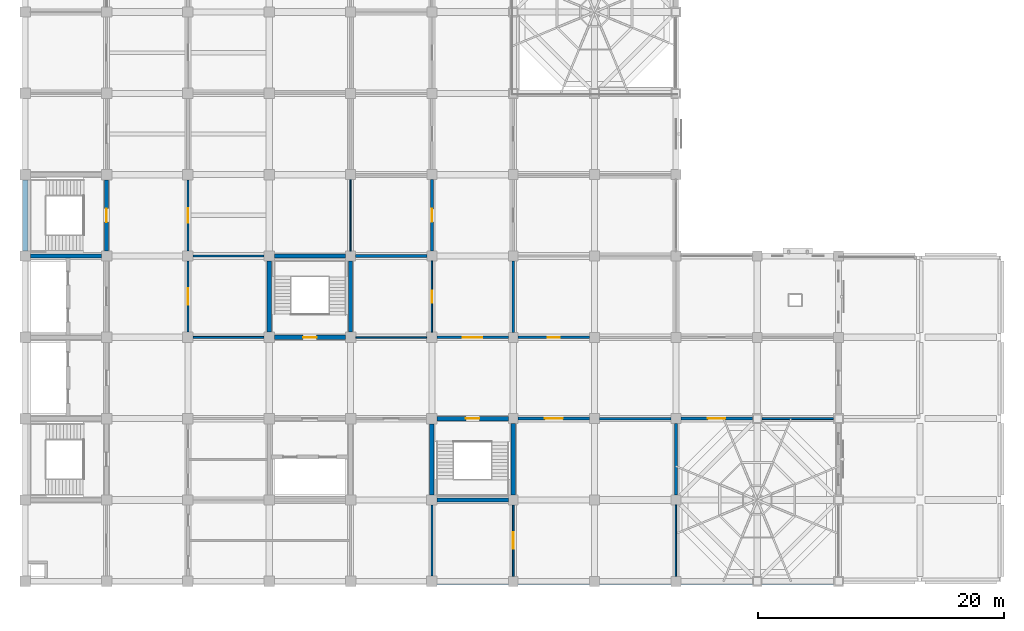
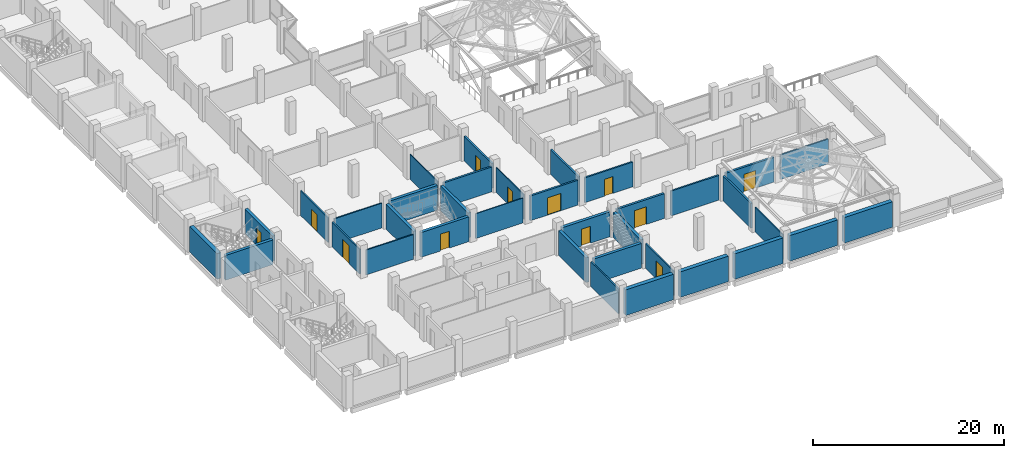
# One storey, part 15 of 25: 36 walls, 12 doors, 12 openings.
"""IFC4 building model written with IfcOpenShell, lengths in metres."""

from ifc_helpers import new_model, si_unit, direction, frame, frame_2d, origin, place, context, subcontext, project, spatial, rectangle, extrude, material, layer, layer_set, type_object, element, fill, save


model = new_model("IFC4")

# Units and contexts
model_context = context("Model", 3, precision=1e-05, world=origin(), true_north=direction((0.0, 1.0)))
body_context = subcontext(model_context, "Body", "Model", "MODEL_VIEW")
ifc_project = project(units=[si_unit("LENGTHUNIT", "METRE"), si_unit("AREAUNIT", "SQUARE_METRE"), si_unit("VOLUMEUNIT", "CUBIC_METRE"), si_unit("PLANEANGLEUNIT", "RADIAN"), si_unit("MASSUNIT", "GRAM", prefix="KILO")], contexts=[model_context])

# Site, building, storey
site_placement = place(None, origin())
site = spatial("IfcSite", under=ifc_project, at=site_placement, CompositionType="ELEMENT")
building_placement = place(site_placement, origin())
building = spatial("IfcBuilding", under=site, at=building_placement, Name="Rusizi Kubbe Research Institute", CompositionType="ELEMENT")
storey_placement = place(building_placement, frame((0.0, 0.0, 14.39990234375)))
storey = spatial("IfcBuildingStorey", under=building, at=storey_placement, Name="L03", CompositionType="ELEMENT", Elevation=14.39990234375)

# Wall
ifc_material_1 = material(Name="Concrete C45/55", Category="concrete")
ifc_layer_1 = layer(ifc_material_1, 0.35009765625)
ifc_layer_set_1 = layer_set([ifc_layer_1], Name="Concrete C45/55")
wall_type_1 = type_object("IfcWallType", Name="CRW-01", PredefinedType="SHEAR", material=ifc_layer_set_1)
wall_1_placement = place(storey_placement, frame((0.425048828125, 26.39990234375, 0.0), z_axis=(0.0, 0.0, 1.0), x_axis=(1.0, 0.0, 0.0)))
element("IfcWall", 1, at=wall_1_placement, inside=storey, type_object=wall_type_1, Name="Stair Core Shear Wall ST2 L03 S", PredefinedType="SHEAR", context=body_context, shape_type="SweptSolid", body=[
    extrude(rectangle(XDim=5.75, YDim=0.35009765625, at=frame_2d((2.875, 0.0))), origin(), (0.0, 0.0, 1.0), 3.16015625),
])

# Wall, opening, door
wall_2_placement = place(storey_placement, frame((6.60009765625, 26.824951171875, 0.0), z_axis=(0.0, 0.0, 1.0), x_axis=(0.0, 1.0, 0.0)))
wall_2 = element("IfcWall", 2, at=wall_2_placement, inside=storey, type_object=wall_type_1, Name="Stair Core Shear Wall ST2 L03 E", PredefinedType="SHEAR", context=body_context, shape_type="SweptSolid", body=[
    extrude(rectangle(XDim=5.75, YDim=0.35009765625, at=frame_2d((2.875, 0.0))), origin(), (0.0, 0.0, 1.0), 3.16015625),
])
opening_1_placement = place(wall_2_placement, frame((2.324951171875, 0.0, 0.0)))
opening_1 = element("IfcOpeningElement", 3, at=opening_1_placement, cuts=wall_2, Name="Opening D-01", PredefinedType="OPENING", context=body_context, shape_type="SweptSolid", body=[
    extrude(rectangle(XDim=1.10009765625, YDim=2.14990234375, at=frame_2d((0.550048828125, 1.074951171875))), frame((0.0, 0.18505859375, 0.0), z_axis=(0.0, -1.0, 0.0), x_axis=(1.0, 0.0, 0.0)), (0.0, 0.0, 1.0), 0.3701171875),
])
ifc_material_2 = material(Name="Fire-Rated Steel Frame and Acoustic Timber Leaf", Category="wood")
door_type_1 = type_object("IfcDoorType", Name="ID-STAIR-110", OperationType="NOTDEFINED", PredefinedType="DOOR", material=ifc_material_2)
door_1_placement = place(opening_1_placement, origin())
door_1 = element("IfcDoor", 4, at=door_1_placement, inside=storey, type_object=door_type_1, Name="Exit Stair Door ST2 L03", OperationType="SINGLE_SWING_LEFT", OverallHeight=2.14990234375, OverallWidth=1.10009765625, PredefinedType="DOOR", context=body_context, shape_type="SweptSolid", body=[
    extrude(rectangle(XDim=1.10009765625, YDim=2.14990234375, at=frame_2d((0.550048828125, 1.074951171875))), frame((0.0, 0.02490234375, 0.0), z_axis=(0.0, -1.0, 0.0), x_axis=(1.0, 0.0, 0.0)), (0.0, 0.0, 1.0), 0.050048828125),
])
fill(opening_1, door_1)

wall_3_placement = place(storey_placement, frame((20.22509765625, 19.800048828125, 0.0), z_axis=(0.0, 0.0, 1.0), x_axis=(1.0, 0.0, 0.0)))
wall_3 = element("IfcWall", 5, at=wall_3_placement, inside=storey, type_object=wall_type_1, Name="Stair Core Shear Wall ST3 L03 S", PredefinedType="SHEAR", context=body_context, shape_type="SweptSolid", body=[
    extrude(rectangle(XDim=5.75, YDim=0.35009765625, at=frame_2d((2.875, 0.0))), origin(), (0.0, 0.0, 1.0), 3.16015625),
])
opening_2_placement = place(wall_3_placement, frame((2.324951171875, 0.0, 0.0)))
opening_2 = element("IfcOpeningElement", 6, at=opening_2_placement, cuts=wall_3, Name="Opening D-01", PredefinedType="OPENING", context=body_context, shape_type="SweptSolid", body=[
    extrude(rectangle(XDim=1.10009765625, YDim=2.14990234375, at=frame_2d((0.550048828125, 1.074951171875))), frame((0.0, 0.18505859375, 0.0), z_axis=(0.0, -1.0, 0.0), x_axis=(1.0, 0.0, 0.0)), (0.0, 0.0, 1.0), 0.3701171875),
])
door_2_placement = place(opening_2_placement, origin())
door_2 = element("IfcDoor", 7, at=door_2_placement, inside=storey, type_object=door_type_1, Name="Exit Stair Door ST3 L03", OperationType="SINGLE_SWING_LEFT", OverallHeight=2.14990234375, OverallWidth=1.10009765625, PredefinedType="DOOR", context=body_context, shape_type="SweptSolid", body=[
    extrude(rectangle(XDim=1.10009765625, YDim=2.14990234375, at=frame_2d((0.550048828125, 1.074951171875))), frame((0.0, 0.02490234375, 0.0), z_axis=(0.0, -1.0, 0.0), x_axis=(1.0, 0.0, 0.0)), (0.0, 0.0, 1.0), 0.050048828125),
])
fill(opening_2, door_2)

# Walls
wall_4_placement = place(storey_placement, frame((20.22509765625, 26.39990234375, 0.0), z_axis=(0.0, 0.0, 1.0), x_axis=(1.0, 0.0, 0.0)))
element("IfcWall", 8, at=wall_4_placement, inside=storey, type_object=wall_type_1, Name="Stair Core Shear Wall ST3 L03 N", PredefinedType="SHEAR", context=body_context, shape_type="SweptSolid", body=[
    extrude(rectangle(XDim=5.77490234375, YDim=0.35009765625, at=frame_2d((2.887451171875, 0.0))), origin(), (0.0, 0.0, 1.0), 3.16015625),
])
wall_5_placement = place(storey_placement, frame((19.800048828125, 20.22509765625, 0.0), z_axis=(0.0, 0.0, 1.0), x_axis=(0.0, 1.0, 0.0)))
element("IfcWall", 9, at=wall_5_placement, inside=storey, type_object=wall_type_1, Name="Stair Core Shear Wall ST3 L03 W", PredefinedType="SHEAR", context=body_context, shape_type="SweptSolid", body=[
    extrude(rectangle(XDim=5.75, YDim=0.35009765625, at=frame_2d((2.875, 0.0))), origin(), (0.0, 0.0, 1.0), 3.16015625),
])
for number, where, z_axis, x_axis, name in (
    (10, (26.39990234375, 20.22509765625, 0.0), (0.0, 0.0, 1.0), (0.0, 1.0, 0.0), "Stair Core Shear Wall ST3 L03 E"),
    (11, (33.425048828125, 6.60009765625, 0.0), (0.0, 0.0, 1.0), (1.0, 0.0, 0.0), "Stair Core Shear Wall ST4 L03 S"),
):
    element("IfcWall", number, at=place(storey_placement, frame(where, z_axis=z_axis, x_axis=x_axis)), inside=storey, type_object=wall_type_1, Name=name, PredefinedType="SHEAR", context=body_context, shape_type="SweptSolid", body=[
        extrude(rectangle(XDim=5.77490234375, YDim=0.35009765625, at=frame_2d((2.887451171875, 0.0))), origin(), (0.0, 0.0, 1.0), 3.16015625),
    ])

# Wall, opening, door
wall_6_placement = place(storey_placement, frame((33.425048828125, 13.199951171875, 0.0), z_axis=(0.0, 0.0, 1.0), x_axis=(1.0, 0.0, 0.0)))
wall_6 = element("IfcWall", 12, at=wall_6_placement, inside=storey, type_object=wall_type_1, Name="Stair Core Shear Wall ST4 L03 N", PredefinedType="SHEAR", context=body_context, shape_type="SweptSolid", body=[
    extrude(rectangle(XDim=5.77490234375, YDim=0.35009765625, at=frame_2d((2.887451171875, 0.0))), origin(), (0.0, 0.0, 1.0), 3.16015625),
])
opening_3_placement = place(wall_6_placement, frame((2.33740234375, 0.0, 0.0)))
opening_3 = element("IfcOpeningElement", 13, at=opening_3_placement, cuts=wall_6, Name="Opening D-01", PredefinedType="OPENING", context=body_context, shape_type="SweptSolid", body=[
    extrude(rectangle(XDim=1.10009765625, YDim=2.14990234375, at=frame_2d((0.550048828125, 1.074951171875))), frame((0.0, 0.18505859375, 0.0), z_axis=(0.0, -1.0, 0.0), x_axis=(1.0, 0.0, 0.0)), (0.0, 0.0, 1.0), 0.3701171875),
])
door_3_placement = place(opening_3_placement, origin())
door_3 = element("IfcDoor", 14, at=door_3_placement, inside=storey, type_object=door_type_1, Name="Exit Stair Door ST4 L03", OperationType="SINGLE_SWING_LEFT", OverallHeight=2.14990234375, OverallWidth=1.10009765625, PredefinedType="DOOR", context=body_context, shape_type="SweptSolid", body=[
    extrude(rectangle(XDim=1.10009765625, YDim=2.14990234375, at=frame_2d((0.550048828125, 1.074951171875))), frame((0.0, 0.02490234375, 0.0), z_axis=(0.0, -1.0, 0.0), x_axis=(1.0, 0.0, 0.0)), (0.0, 0.0, 1.0), 0.050048828125),
])
fill(opening_3, door_3)

# Walls
wall_7_placement = place(storey_placement, frame((33.0, 7.02490234375, 0.0), z_axis=(0.0, 0.0, 1.0), x_axis=(0.0, 1.0, 0.0)))
element("IfcWall", 15, at=wall_7_placement, inside=storey, type_object=wall_type_1, Name="Stair Core Shear Wall ST4 L03 W", PredefinedType="SHEAR", context=body_context, shape_type="SweptSolid", body=[
    extrude(rectangle(XDim=5.75, YDim=0.35009765625, at=frame_2d((2.875, 0.0))), origin(), (0.0, 0.0, 1.0), 3.16015625),
])
wall_8_placement = place(storey_placement, frame((39.60009765625, 7.0, 0.0), z_axis=(0.0, 0.0, 1.0), x_axis=(0.0, 1.0, 0.0)))
element("IfcWall", 16, at=wall_8_placement, inside=storey, type_object=wall_type_1, Name="Stair Core Shear Wall ST4 L03 E", PredefinedType="SHEAR", context=body_context, shape_type="SweptSolid", body=[
    extrude(rectangle(XDim=5.800048828125, YDim=0.35009765625, at=frame_2d((2.89990234375, 0.0))), origin(), (0.0, 0.0, 1.0), 3.16015625),
])
ifc_material_3 = material(Name="Concrete Blockwork Fire Partition", Category="masonry")
ifc_layer_2 = layer(ifc_material_3, 0.22509765625)
ifc_layer_set_2 = layer_set([ifc_layer_2], Name="Concrete Blockwork Fire Partition")
wall_type_2 = type_object("IfcWallType", Name="IW-01", PredefinedType="PARTITIONING", material=ifc_layer_set_2)
wall_9_placement = place(storey_placement, frame((26.800048828125, 26.39990234375, 0.0), z_axis=(0.0, 0.0, 1.0), x_axis=(1.0, 0.0, 0.0)))
element("IfcWall", 17, at=wall_9_placement, inside=storey, type_object=wall_type_2, Name="Interior Partition Wall L03 H4-4", PredefinedType="PARTITIONING", context=body_context, shape_type="SweptSolid", body=[
    extrude(rectangle(XDim=5.800048828125, YDim=0.22509765625, at=frame_2d((2.89990234375, 0.0))), origin(), (0.0, 0.0, 1.0), 3.16015625),
])

# Wall, opening, door
wall_10_placement = place(storey_placement, frame((33.0, 26.800048828125, 0.0), z_axis=(0.0, 0.0, 1.0), x_axis=(0.0, 1.0, 0.0)))
wall_10 = element("IfcWall", 18, at=wall_10_placement, inside=storey, type_object=wall_type_2, Name="Interior Partition Wall L03 V5-4", PredefinedType="PARTITIONING", context=body_context, shape_type="SweptSolid", body=[
    extrude(rectangle(XDim=5.800048828125, YDim=0.22509765625, at=frame_2d((2.89990234375, 0.0))), origin(), (0.0, 0.0, 1.0), 3.16015625),
])
opening_4_placement = place(wall_10_placement, frame((2.375, 0.0, 0.0)))
opening_4 = element("IfcOpeningElement", 19, at=opening_4_placement, cuts=wall_10, Name="Opening D-16", PredefinedType="OPENING", context=body_context, shape_type="SweptSolid", body=[
    extrude(rectangle(XDim=1.050048828125, YDim=2.14990234375, at=frame_2d((0.52490234375, 1.074951171875))), frame((0.0, 0.12255859375, 0.0), z_axis=(0.0, -1.0, 0.0), x_axis=(1.0, 0.0, 0.0)), (0.0, 0.0, 1.0), 0.2451171875),
])
ifc_material_4 = material(Name="Fire-Rated Steel Frame and Acoustic Timber Leaf", Category="wood")
door_type_2 = type_object("IfcDoorType", Name="ID-OFF-105", OperationType="NOTDEFINED", PredefinedType="DOOR", material=ifc_material_4)
door_4_placement = place(opening_4_placement, origin())
door_4 = element("IfcDoor", 20, at=door_4_placement, inside=storey, type_object=door_type_2, Name="Door to Write-up Office (L03-ELBW-04)", OperationType="SINGLE_SWING_LEFT", OverallHeight=2.14990234375, OverallWidth=1.050048828125, PredefinedType="DOOR", context=body_context, shape_type="SweptSolid", body=[
    extrude(rectangle(XDim=1.050048828125, YDim=2.14990234375, at=frame_2d((0.52490234375, 1.074951171875))), frame((0.0, 0.02490234375, 0.0), z_axis=(0.0, -1.0, 0.0), x_axis=(1.0, 0.0, 0.0)), (0.0, 0.0, 1.0), 0.050048828125),
])
fill(opening_4, door_4)

wall_11_placement = place(storey_placement, frame((33.425048828125, 19.800048828125, 0.0), z_axis=(0.0, 0.0, 1.0), x_axis=(1.0, 0.0, 0.0)))
wall_11 = element("IfcWall", 21, at=wall_11_placement, inside=storey, type_object=wall_type_2, Name="Interior Partition Wall L03 H5-3", PredefinedType="PARTITIONING", context=body_context, shape_type="SweptSolid", body=[
    extrude(rectangle(XDim=5.77490234375, YDim=0.22509765625, at=frame_2d((2.887451171875, 0.0))), origin(), (0.0, 0.0, 1.0), 3.16015625),
])
opening_5_placement = place(wall_11_placement, frame((2.074951171875, 0.0, 0.0)))
opening_5 = element("IfcOpeningElement", 22, at=opening_5_placement, cuts=wall_11, Name="Opening D-10", PredefinedType="OPENING", context=body_context, shape_type="SweptSolid", body=[
    extrude(rectangle(XDim=1.60009765625, YDim=2.199951171875, at=frame_2d((0.800048828125, 1.10009765625))), frame((0.0, 0.12255859375, 0.0), z_axis=(0.0, -1.0, 0.0), x_axis=(1.0, 0.0, 0.0)), (0.0, 0.0, 1.0), 0.2451171875),
])
ifc_material_5 = material(Name="Fire-Rated Steel Frame and Acoustic Timber Leaf", Category="wood")
door_type_3 = type_object("IfcDoorType", Name="ID-DBL-160", OperationType="DOUBLE_DOOR_SINGLE_SWING", PredefinedType="DOOR", material=ifc_material_5)
door_5_placement = place(opening_5_placement, origin())
door_5 = element("IfcDoor", 23, at=door_5_placement, inside=storey, type_object=door_type_3, Name="Door to Revak Cloister Gallery (L03-GAL-01)", OperationType="DOUBLE_DOOR_SINGLE_SWING", OverallHeight=2.199951171875, OverallWidth=1.60009765625, PredefinedType="DOOR", context=body_context, shape_type="SweptSolid", body=[
    extrude(rectangle(XDim=1.60009765625, YDim=2.199951171875, at=frame_2d((0.800048828125, 1.10009765625))), frame((0.0, 0.02490234375, 0.0), z_axis=(0.0, -1.0, 0.0), x_axis=(1.0, 0.0, 0.0)), (0.0, 0.0, 1.0), 0.050048828125),
])
fill(opening_5, door_5)

# Walls
for number, where, z_axis, x_axis, name in (
    (24, (39.60009765625, 20.199951171875, 0.0), (0.0, 0.0, 1.0), (0.0, 1.0, 0.0), "Interior Partition Wall L03 V6-3"),
    (25, (52.800048828125, 7.0, 0.0), (0.0, 0.0, 1.0), (0.0, 1.0, 0.0), "Interior Partition Wall L03 V8-1"),
):
    element("IfcWall", number, at=place(storey_placement, frame(where, z_axis=z_axis, x_axis=x_axis)), inside=storey, type_object=wall_type_2, Name=name, PredefinedType="PARTITIONING", context=body_context, shape_type="SweptSolid", body=[
        extrude(rectangle(XDim=5.800048828125, YDim=0.22509765625, at=frame_2d((2.89990234375, 0.0))), origin(), (0.0, 0.0, 1.0), 3.16015625),
    ])

# Wall, opening, door
ifc_material_6 = material(Name="Insulated Cleanroom Partition", Category="masonry")
ifc_layer_3 = layer(ifc_material_6, 0.195068359375)
ifc_layer_set_3 = layer_set([ifc_layer_3], Name="Insulated Cleanroom Partition")
wall_type_3 = type_object("IfcWallType", Name="IW-02", PredefinedType="PARTITIONING", material=ifc_layer_set_3)
wall_12_placement = place(storey_placement, frame((40.0, 19.800048828125, 0.0), z_axis=(0.0, 0.0, 1.0), x_axis=(1.0, 0.0, 0.0)))
wall_12 = element("IfcWall", 26, at=wall_12_placement, inside=storey, type_object=wall_type_3, Name="Interior Partition Wall L03 H6-3", PredefinedType="PARTITIONING", context=body_context, shape_type="SweptSolid", body=[
    extrude(rectangle(XDim=5.800048828125, YDim=0.195068359375, at=frame_2d((2.89990234375, 0.0))), origin(), (0.0, 0.0, 1.0), 3.16015625),
])
opening_6_placement = place(wall_12_placement, frame((2.409912109375, 0.0, 0.0)))
opening_6 = element("IfcOpeningElement", 27, at=opening_6_placement, cuts=wall_12, Name="Opening D-20", PredefinedType="OPENING", context=body_context, shape_type="SweptSolid", body=[
    extrude(rectangle(XDim=0.97998046875, YDim=2.14990234375, at=frame_2d((0.489990234375, 1.074951171875))), frame((0.0, 0.107421875, 0.0), z_axis=(0.0, -1.0, 0.0), x_axis=(1.0, 0.0, 0.0)), (0.0, 0.0, 1.0), 0.215087890625),
])
ifc_material_7 = material(Name="Fire-Rated Steel Frame and Acoustic Timber Leaf", Category="wood")
door_type_4 = type_object("IfcDoorType", Name="ID-OFF-980", OperationType="NOTDEFINED", PredefinedType="DOOR", material=ifc_material_7)
door_6_placement = place(opening_6_placement, origin())
door_6 = element("IfcDoor", 28, at=door_6_placement, inside=storey, type_object=door_type_4, Name="Door to Write-up Office (L03-ELBE-03)", OperationType="SINGLE_SWING_LEFT", OverallHeight=2.14990234375, OverallWidth=0.97998046875, PredefinedType="DOOR", context=body_context, shape_type="SweptSolid", body=[
    extrude(rectangle(XDim=0.97998046875, YDim=2.14990234375, at=frame_2d((0.489990234375, 1.074951171875))), frame((0.0, 0.02490234375, 0.0), z_axis=(0.0, -1.0, 0.0), x_axis=(1.0, 0.0, 0.0)), (0.0, 0.0, 1.0), 0.050048828125),
])
fill(opening_6, door_6)

# Wall
wall_13_placement = place(storey_placement, frame((46.60009765625, 13.199951171875, 0.0), z_axis=(0.0, 0.0, 1.0), x_axis=(1.0, 0.0, 0.0)))
element("IfcWall", 29, at=wall_13_placement, inside=storey, type_object=wall_type_3, Name="Interior Partition Wall L03 H7-2", PredefinedType="PARTITIONING", context=body_context, shape_type="SweptSolid", body=[
    extrude(rectangle(XDim=5.7998046875, YDim=0.195068359375, at=frame_2d((2.89990234375, 0.0))), origin(), (0.0, 0.0, 1.0), 3.16015625),
])

# Wall, opening, door
ifc_material_8 = material(Name="Acoustic Laboratory Partition", Category="masonry")
ifc_layer_4 = layer(ifc_material_8, 0.175048828125)
ifc_layer_set_4 = layer_set([ifc_layer_4], Name="Acoustic Laboratory Partition")
wall_type_4 = type_object("IfcWallType", Name="IW-03", PredefinedType="PARTITIONING", material=ifc_layer_set_4)
wall_14_placement = place(storey_placement, frame((13.199951171875, 20.22509765625, 0.0), z_axis=(0.0, 0.0, 1.0), x_axis=(0.0, 1.0, 0.0)))
wall_14 = element("IfcWall", 30, at=wall_14_placement, inside=storey, type_object=wall_type_4, Name="Interior Partition Wall L03 V2-3", PredefinedType="PARTITIONING", context=body_context, shape_type="SweptSolid", body=[
    extrude(rectangle(XDim=5.75, YDim=0.175048828125, at=frame_2d((2.875, 0.0))), origin(), (0.0, 0.0, 1.0), 3.16015625),
])
opening_7_placement = place(wall_14_placement, frame((2.199951171875, 0.0, 0.0)))
opening_7 = element("IfcOpeningElement", 31, at=opening_7_placement, cuts=wall_14, Name="Opening D-13", PredefinedType="OPENING", context=body_context, shape_type="SweptSolid", body=[
    extrude(rectangle(XDim=1.35009765625, YDim=2.300048828125, at=frame_2d((0.675048828125, 1.14990234375))), frame((0.0, 0.097412109375, 0.0), z_axis=(0.0, -1.0, 0.0), x_axis=(1.0, 0.0, 0.0)), (0.0, 0.0, 1.0), 0.195068359375),
])
ifc_material_9 = material(Name="Fire-Rated Steel Frame and Acoustic Timber Leaf", Category="wood")
door_type_5 = type_object("IfcDoorType", Name="ID-LAB-135", OperationType="NOTDEFINED", PredefinedType="DOOR", material=ifc_material_9)
door_7_placement = place(opening_7_placement, origin())
door_7 = element("IfcDoor", 32, at=door_7_placement, inside=storey, type_object=door_type_5, Name="Door to Computational Dry Laboratory (L03-NW-01)", OperationType="SINGLE_SWING_LEFT", OverallHeight=2.300048828125, OverallWidth=1.35009765625, PredefinedType="DOOR", context=body_context, shape_type="SweptSolid", body=[
    extrude(rectangle(XDim=1.35009765625, YDim=2.300048828125, at=frame_2d((0.675048828125, 1.14990234375))), frame((0.0, 0.02490234375, 0.0), z_axis=(0.0, -1.0, 0.0), x_axis=(1.0, 0.0, 0.0)), (0.0, 0.0, 1.0), 0.050048828125),
])
fill(opening_7, door_7)

# Wall
wall_15_placement = place(storey_placement, frame((33.0, 0.425048828125, 0.0), z_axis=(0.0, 0.0, 1.0), x_axis=(0.0, 1.0, 0.0)))
element("IfcWall", 33, at=wall_15_placement, inside=storey, type_object=wall_type_4, Name="Interior Partition Wall L03 V5-0", PredefinedType="PARTITIONING", context=body_context, shape_type="SweptSolid", body=[
    extrude(rectangle(XDim=5.75, YDim=0.175048828125, at=frame_2d((2.875, 0.0))), origin(), (0.0, 0.0, 1.0), 3.16015625),
])

# Wall, opening, door
ifc_material_10 = material(Name="Fire-Rated Corridor Partition", Category="masonry")
ifc_layer_5 = layer(ifc_material_10, 0.155029296875)
ifc_layer_set_5 = layer_set([ifc_layer_5], Name="Fire-Rated Corridor Partition")
wall_type_5 = type_object("IfcWallType", Name="IW-04", PredefinedType="PARTITIONING", material=ifc_layer_set_5)
wall_16_placement = place(storey_placement, frame((13.199951171875, 26.824951171875, 0.0), z_axis=(0.0, 0.0, 1.0), x_axis=(0.0, 1.0, 0.0)))
wall_16 = element("IfcWall", 34, at=wall_16_placement, inside=storey, type_object=wall_type_5, Name="Interior Partition Wall L03 V2-4", PredefinedType="PARTITIONING", context=body_context, shape_type="SweptSolid", body=[
    extrude(rectangle(XDim=5.75, YDim=0.155029296875, at=frame_2d((2.875, 0.0))), origin(), (0.0, 0.0, 1.0), 3.16015625),
])
opening_8_placement = place(wall_16_placement, frame((2.284912109375, 0.0, 0.0)))
opening_8 = element("IfcOpeningElement", 35, at=opening_8_placement, cuts=wall_16, Name="Opening D-19", PredefinedType="OPENING", context=body_context, shape_type="SweptSolid", body=[
    extrude(rectangle(XDim=1.179931640625, YDim=2.199951171875, at=frame_2d((0.58984375, 1.10009765625))), frame((0.0, 0.08740234375, 0.0), z_axis=(0.0, -1.0, 0.0), x_axis=(1.0, 0.0, 0.0)), (0.0, 0.0, 1.0), 0.175048828125),
])
ifc_material_11 = material(Name="Fire-Rated Steel Frame and Acoustic Timber Leaf", Category="wood")
door_type_6 = type_object("IfcDoorType", Name="ID-OFF-118", OperationType="NOTDEFINED", PredefinedType="DOOR", material=ifc_material_11)
door_8_placement = place(opening_8_placement, origin())
door_8 = element("IfcDoor", 36, at=door_8_placement, inside=storey, type_object=door_type_6, Name="Door to Write-up Office (L03-NW-02)", OperationType="SINGLE_SWING_RIGHT", OverallHeight=2.199951171875, OverallWidth=1.179931640625, PredefinedType="DOOR", context=body_context, shape_type="SweptSolid", body=[
    extrude(rectangle(XDim=1.179931640625, YDim=2.199951171875, at=frame_2d((0.58984375, 1.10009765625))), frame((0.0, 0.02490234375, 0.0), z_axis=(0.0, -1.0, 0.0), x_axis=(1.0, 0.0, 0.0)), (0.0, 0.0, 1.0), 0.050048828125),
])
fill(opening_8, door_8)

# Wall
wall_17_placement = place(storey_placement, frame((13.625, 19.800048828125, 0.0), z_axis=(0.0, 0.0, 1.0), x_axis=(1.0, 0.0, 0.0)))
element("IfcWall", 37, at=wall_17_placement, inside=storey, type_object=wall_type_5, Name="Interior Partition Wall L03 H2-3", PredefinedType="PARTITIONING", context=body_context, shape_type="SweptSolid", body=[
    extrude(rectangle(XDim=5.75, YDim=0.155029296875, at=frame_2d((2.875, 0.0))), origin(), (0.0, 0.0, 1.0), 3.16015625),
])

# Wall, opening, door
wall_18_placement = place(storey_placement, frame((39.60009765625, 0.39990234375, 0.0), z_axis=(0.0, 0.0, 1.0), x_axis=(0.0, 1.0, 0.0)))
wall_18 = element("IfcWall", 38, at=wall_18_placement, inside=storey, type_object=wall_type_5, Name="Interior Partition Wall L03 V6-0", PredefinedType="PARTITIONING", context=body_context, shape_type="SweptSolid", body=[
    extrude(rectangle(XDim=5.800048828125, YDim=0.155029296875, at=frame_2d((2.89990234375, 0.0))), origin(), (0.0, 0.0, 1.0), 3.16015625),
])
opening_9_placement = place(wall_18_placement, frame((2.22509765625, 0.0, 0.0)))
opening_9 = element("IfcOpeningElement", 39, at=opening_9_placement, cuts=wall_18, Name="Opening D-13", PredefinedType="OPENING", context=body_context, shape_type="SweptSolid", body=[
    extrude(rectangle(XDim=1.35009765625, YDim=2.300048828125, at=frame_2d((0.675048828125, 1.14990234375))), frame((0.0, 0.08740234375, 0.0), z_axis=(0.0, -1.0, 0.0), x_axis=(1.0, 0.0, 0.0)), (0.0, 0.0, 1.0), 0.175048828125),
])
door_9_placement = place(opening_9_placement, origin())
door_9 = element("IfcDoor", 40, at=door_9_placement, inside=storey, type_object=door_type_5, Name="Door to Laboratory Instrument Support Room (L03-EWU-05)", OperationType="SINGLE_SWING_LEFT", OverallHeight=2.300048828125, OverallWidth=1.35009765625, PredefinedType="DOOR", context=body_context, shape_type="SweptSolid", body=[
    extrude(rectangle(XDim=1.35009765625, YDim=2.300048828125, at=frame_2d((0.675048828125, 1.14990234375))), frame((0.0, 0.02490234375, 0.0), z_axis=(0.0, -1.0, 0.0), x_axis=(1.0, 0.0, 0.0)), (0.0, 0.0, 1.0), 0.050048828125),
])
fill(opening_9, door_9)

# Walls
wall_19_placement = place(storey_placement, frame((59.800048828125, 13.199951171875, 0.0), z_axis=(0.0, 0.0, 1.0), x_axis=(1.0, 0.0, 0.0)))
element("IfcWall", 41, at=wall_19_placement, inside=storey, type_object=wall_type_5, Name="Interior Partition Wall L03 H9-2", PredefinedType="PARTITIONING", context=body_context, shape_type="SweptSolid", body=[
    extrude(rectangle(XDim=5.800048828125, YDim=0.155029296875, at=frame_2d((2.89990234375, 0.0))), origin(), (0.0, 0.0, 1.0), 3.16015625),
])
ifc_material_12 = material(Name="Write-up Glazed Acoustic Partition", Category="masonry")
ifc_layer_6 = layer(ifc_material_12, 0.139892578125)
ifc_layer_set_6 = layer_set([ifc_layer_6], Name="Write-up Glazed Acoustic Partition")
wall_type_6 = type_object("IfcWallType", Name="IW-05", PredefinedType="PARTITIONING", material=ifc_layer_set_6)
wall_20_placement = place(storey_placement, frame((13.625, 26.39990234375, 0.0), z_axis=(0.0, 0.0, 1.0), x_axis=(1.0, 0.0, 0.0)))
element("IfcWall", 42, at=wall_20_placement, inside=storey, type_object=wall_type_6, Name="Interior Partition Wall L03 H2-4", PredefinedType="PARTITIONING", context=body_context, shape_type="SweptSolid", body=[
    extrude(rectangle(XDim=5.75, YDim=0.139892578125, at=frame_2d((2.875, 0.0))), origin(), (0.0, 0.0, 1.0), 3.16015625),
])
ifc_material_13 = material(Name="Sub-Suite Fire Partition", Category="masonry")
ifc_layer_7 = layer(ifc_material_13, 0.110107421875)
ifc_layer_set_7 = layer_set([ifc_layer_7], Name="Sub-Suite Fire Partition")
wall_type_7 = type_object("IfcWallType", Name="IW-07", PredefinedType="PARTITIONING", material=ifc_layer_set_7)
wall_21_placement = place(storey_placement, frame((26.39990234375, 26.800048828125, 0.0), z_axis=(0.0, 0.0, 1.0), x_axis=(0.0, 1.0, 0.0)))
element("IfcWall", 43, at=wall_21_placement, inside=storey, type_object=wall_type_7, Name="Interior Partition Wall L03 V4-4", PredefinedType="PARTITIONING", context=body_context, shape_type="SweptSolid", body=[
    extrude(rectangle(XDim=5.800048828125, YDim=0.110107421875, at=frame_2d((2.89990234375, 0.0))), origin(), (0.0, 0.0, 1.0), 3.16015625),
])
wall_22_placement = place(storey_placement, frame((26.824951171875, 19.800048828125, 0.0), z_axis=(0.0, 0.0, 1.0), x_axis=(1.0, 0.0, 0.0)))
element("IfcWall", 44, at=wall_22_placement, inside=storey, type_object=wall_type_7, Name="Interior Partition Wall L03 H4-3", PredefinedType="PARTITIONING", context=body_context, shape_type="SweptSolid", body=[
    extrude(rectangle(XDim=5.75, YDim=0.110107421875, at=frame_2d((2.875, 0.0))), origin(), (0.0, 0.0, 1.0), 3.16015625),
])

# Wall, opening, door
wall_23_placement = place(storey_placement, frame((33.0, 20.22509765625, 0.0), z_axis=(0.0, 0.0, 1.0), x_axis=(0.0, 1.0, 0.0)))
wall_23 = element("IfcWall", 45, at=wall_23_placement, inside=storey, type_object=wall_type_7, Name="Interior Partition Wall L03 V5-3", PredefinedType="PARTITIONING", context=body_context, shape_type="SweptSolid", body=[
    extrude(rectangle(XDim=5.77490234375, YDim=0.110107421875, at=frame_2d((2.887451171875, 0.0))), origin(), (0.0, 0.0, 1.0), 3.16015625),
])
opening_10_placement = place(wall_23_placement, frame((2.385009765625, 0.0, 0.0)))
opening_10 = element("IfcOpeningElement", 46, at=opening_10_placement, cuts=wall_23, Name="Opening D-20", PredefinedType="OPENING", context=body_context, shape_type="SweptSolid", body=[
    extrude(rectangle(XDim=0.97998046875, YDim=2.14990234375, at=frame_2d((0.489990234375, 1.074951171875))), frame((0.0, 0.06494140625, 0.0), z_axis=(0.0, -1.0, 0.0), x_axis=(1.0, 0.0, 0.0)), (0.0, 0.0, 1.0), 0.130126953125),
])
door_10_placement = place(opening_10_placement, origin())
door_10 = element("IfcDoor", 47, at=door_10_placement, inside=storey, type_object=door_type_4, Name="Door to Write-up Office (L03-ELBW-03)", OperationType="SINGLE_SWING_LEFT", OverallHeight=2.14990234375, OverallWidth=0.97998046875, PredefinedType="DOOR", context=body_context, shape_type="SweptSolid", body=[
    extrude(rectangle(XDim=0.97998046875, YDim=2.14990234375, at=frame_2d((0.489990234375, 1.074951171875))), frame((0.0, 0.02490234375, 0.0), z_axis=(0.0, -1.0, 0.0), x_axis=(1.0, 0.0, 0.0)), (0.0, 0.0, 1.0), 0.050048828125),
])
fill(opening_10, door_10)

# Walls
wall_24_placement = place(storey_placement, frame((52.800048828125, 0.39990234375, 0.0), z_axis=(0.0, 0.0, 1.0), x_axis=(0.0, 1.0, 0.0)))
element("IfcWall", 48, at=wall_24_placement, inside=storey, type_object=wall_type_7, Name="Interior Partition Wall L03 V8-0", PredefinedType="PARTITIONING", context=body_context, shape_type="SweptSolid", body=[
    extrude(rectangle(XDim=5.800048828125, YDim=0.110107421875, at=frame_2d((2.89990234375, 0.0))), origin(), (0.0, 0.0, 1.0), 3.16015625),
])
ifc_material_14 = material(Name="Concrete C40/50", Category="concrete")
ifc_layer_8 = layer(ifc_material_14, 0.47998046875)
ifc_layer_set_8 = layer_set([ifc_layer_8], Name="Concrete C40/50")
wall_type_8 = type_object("IfcWallType", Name="PW-01", PredefinedType="SOLIDWALL", material=ifc_layer_set_8)
wall_25_placement = place(storey_placement, frame((0.0, 26.824951171875, 0.0), z_axis=(0.0, 0.0, 1.0), x_axis=(0.0, 1.0, 0.0)))
element("IfcWall", 49, at=wall_25_placement, inside=storey, type_object=wall_type_8, Name="Blind Party Wall L03 V0-4", PredefinedType="SOLIDWALL", context=body_context, shape_type="SweptSolid", body=[
    extrude(rectangle(XDim=5.75, YDim=0.47998046875, at=frame_2d((2.875, 0.0))), origin(), (0.0, 0.0, 1.0), 3.260009765625),
])
wall_26_placement = place(storey_placement, frame((33.425048828125, 0.0, 0.0), z_axis=(0.0, 0.0, 1.0), x_axis=(1.0, 0.0, 0.0)))
element("IfcWall", 50, at=wall_26_placement, inside=storey, type_object=wall_type_8, Name="Blind Party Wall L03 H5-0", PredefinedType="SOLIDWALL", context=body_context, shape_type="SweptSolid", body=[
    extrude(rectangle(XDim=5.77490234375, YDim=0.47998046875, at=frame_2d((2.887451171875, 0.0))), origin(), (0.0, 0.0, 1.0), 3.260009765625),
])
wall_27_placement = place(storey_placement, frame((40.0, 0.0, 0.0), z_axis=(0.0, 0.0, 1.0), x_axis=(1.0, 0.0, 0.0)))
element("IfcWall", 51, at=wall_27_placement, inside=storey, type_object=wall_type_8, Name="Blind Party Wall L03 H6-0", PredefinedType="SOLIDWALL", context=body_context, shape_type="SweptSolid", body=[
    extrude(rectangle(XDim=5.800048828125, YDim=0.47998046875, at=frame_2d((2.89990234375, 0.0))), origin(), (0.0, 0.0, 1.0), 3.260009765625),
])
wall_28_placement = place(storey_placement, frame((46.60009765625, 0.0, 0.0), z_axis=(0.0, 0.0, 1.0), x_axis=(1.0, 0.0, 0.0)))
element("IfcWall", 52, at=wall_28_placement, inside=storey, type_object=wall_type_8, Name="Blind Party Wall L03 H7-0", PredefinedType="SOLIDWALL", context=body_context, shape_type="SweptSolid", body=[
    extrude(rectangle(XDim=5.7998046875, YDim=0.47998046875, at=frame_2d((2.89990234375, 0.0))), origin(), (0.0, 0.0, 1.0), 3.260009765625),
])
for number, where, z_axis, x_axis, name in (
    (53, (53.199951171875, 0.0, 0.0), (0.0, 0.0, 1.0), (1.0, 0.0, 0.0), "Blind Party Wall L03 H8-0"),
    (54, (59.800048828125, 0.0, 0.0), (0.0, 0.0, 1.0), (1.0, 0.0, 0.0), "Blind Party Wall L03 H9-0"),
):
    element("IfcWall", number, at=place(storey_placement, frame(where, z_axis=z_axis, x_axis=x_axis)), inside=storey, type_object=wall_type_8, Name=name, PredefinedType="SOLIDWALL", context=body_context, shape_type="SweptSolid", body=[
        extrude(rectangle(XDim=5.800048828125, YDim=0.47998046875, at=frame_2d((2.89990234375, 0.0))), origin(), (0.0, 0.0, 1.0), 3.260009765625),
    ])

# Wall, opening, door
ifc_material_15 = material(Name="Concrete C40/50", Category="concrete")
ifc_layer_9 = layer(ifc_material_15, 0.2548828125)
ifc_layer_set_9 = layer_set([ifc_layer_9], Name="Concrete C40/50")
wall_type_9 = type_object("IfcWallType", Name="SHW-02", PredefinedType="SHEAR", material=ifc_layer_set_9)
wall_29_placement = place(storey_placement, frame((40.0, 13.199951171875, 0.0), z_axis=(0.0, 0.0, 1.0), x_axis=(1.0, 0.0, 0.0)))
wall_29 = element("IfcWall", 55, at=wall_29_placement, inside=storey, type_object=wall_type_9, Name="Interior Partition Wall L03 H6-2", PredefinedType="SHEAR", context=body_context, shape_type="SweptSolid", body=[
    extrude(rectangle(XDim=5.800048828125, YDim=0.2548828125, at=frame_2d((2.89990234375, 0.0))), origin(), (0.0, 0.0, 1.0), 3.16015625),
])
opening_11_placement = place(wall_29_placement, frame((2.175048828125, 0.0, 0.0)))
opening_11 = element("IfcOpeningElement", 56, at=opening_11_placement, cuts=wall_29, Name="Opening D-11", PredefinedType="OPENING", context=body_context, shape_type="SweptSolid", body=[
    extrude(rectangle(XDim=1.449951171875, YDim=2.25, at=frame_2d((0.72509765625, 1.125))), frame((0.0, 0.137451171875, 0.0), z_axis=(0.0, -1.0, 0.0), x_axis=(1.0, 0.0, 0.0)), (0.0, 0.0, 1.0), 0.27490234375),
])
ifc_material_16 = material(Name="Fire-Rated Steel Frame and Acoustic Timber Leaf", Category="wood")
door_type_7 = type_object("IfcDoorType", Name="ID-LAB-145", OperationType="NOTDEFINED", PredefinedType="DOOR", material=ifc_material_16)
door_11_placement = place(opening_11_placement, origin())
door_11 = element("IfcDoor", 57, at=door_11_placement, inside=storey, type_object=door_type_7, Name="Door to Catalysis Wet Laboratory (L03-EWS-02)", OperationType="SINGLE_SWING_LEFT", OverallHeight=2.25, OverallWidth=1.449951171875, PredefinedType="DOOR", context=body_context, shape_type="SweptSolid", body=[
    extrude(rectangle(XDim=1.449951171875, YDim=2.25, at=frame_2d((0.72509765625, 1.125))), frame((0.0, 0.02490234375, 0.0), z_axis=(0.0, -1.0, 0.0), x_axis=(1.0, 0.0, 0.0)), (0.0, 0.0, 1.0), 0.050048828125),
])
fill(opening_11, door_11)

wall_30_placement = place(storey_placement, frame((53.199951171875, 13.199951171875, 0.0), z_axis=(0.0, 0.0, 1.0), x_axis=(1.0, 0.0, 0.0)))
wall_30 = element("IfcWall", 58, at=wall_30_placement, inside=storey, type_object=wall_type_9, Name="Interior Partition Wall L03 H8-2", PredefinedType="SHEAR", context=body_context, shape_type="SweptSolid", body=[
    extrude(rectangle(XDim=5.800048828125, YDim=0.2548828125, at=frame_2d((2.89990234375, 0.0))), origin(), (0.0, 0.0, 1.0), 3.16015625),
])
opening_12_placement = place(wall_30_placement, frame((2.199951171875, 0.0, 0.0)))
opening_12 = element("IfcOpeningElement", 59, at=opening_12_placement, cuts=wall_30, Name="Opening D-12", PredefinedType="OPENING", context=body_context, shape_type="SweptSolid", body=[
    extrude(rectangle(XDim=1.39990234375, YDim=2.25, at=frame_2d((0.699951171875, 1.125))), frame((0.0, 0.137451171875, 0.0), z_axis=(0.0, -1.0, 0.0), x_axis=(1.0, 0.0, 0.0)), (0.0, 0.0, 1.0), 0.27490234375),
])
ifc_material_17 = material(Name="Fire-Rated Steel Frame and Acoustic Timber Leaf", Category="wood")
door_type_8 = type_object("IfcDoorType", Name="ID-LAB-140", OperationType="NOTDEFINED", PredefinedType="DOOR", material=ifc_material_17)
door_12_placement = place(opening_12_placement, origin())
door_12 = element("IfcDoor", 60, at=door_12_placement, inside=storey, type_object=door_type_8, Name="Door to Clean Room Process Suite (L03-EWS-03)", OperationType="SINGLE_SWING_RIGHT", OverallHeight=2.25, OverallWidth=1.39990234375, PredefinedType="DOOR", context=body_context, shape_type="SweptSolid", body=[
    extrude(rectangle(XDim=1.39990234375, YDim=2.25, at=frame_2d((0.699951171875, 1.125))), frame((0.0, 0.02490234375, 0.0), z_axis=(0.0, -1.0, 0.0), x_axis=(1.0, 0.0, 0.0)), (0.0, 0.0, 1.0), 0.050048828125),
])
fill(opening_12, door_12)

save(model, "model.ifc")
